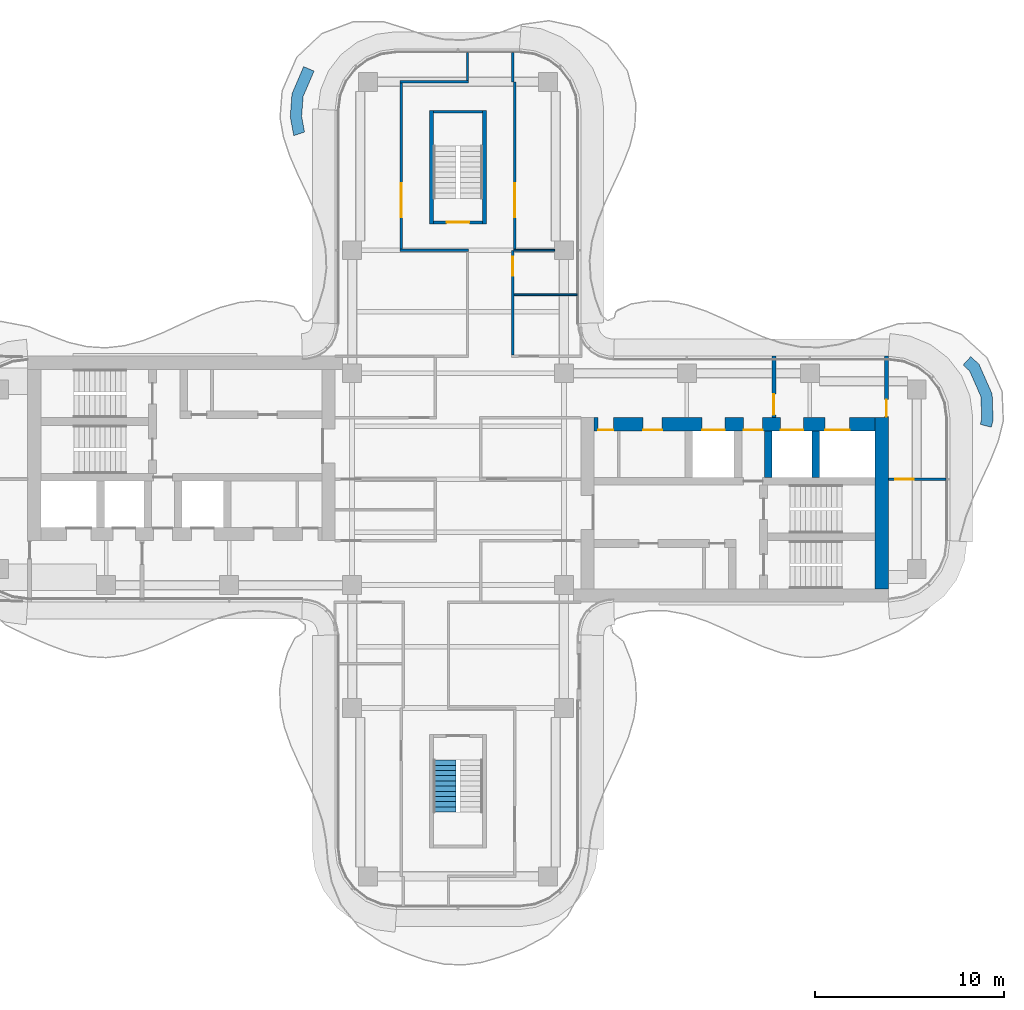
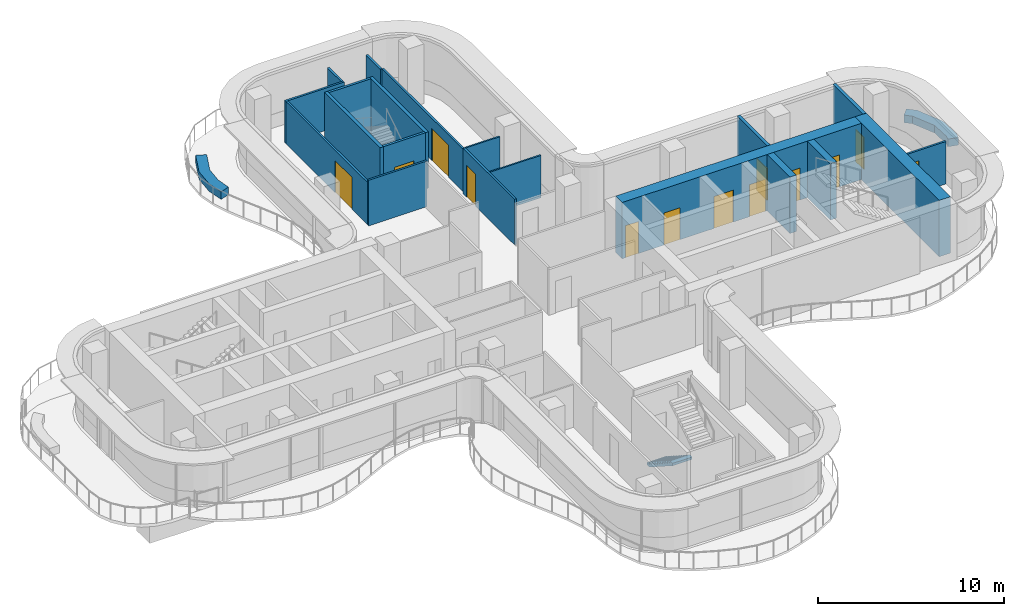
# One storey, part 14 of 17: 22 walls, 13 doors, 1 stair flight, 13 openings, 1 element without a shape of its own.
"""IFC4 building model written with IfcOpenShell, lengths in metres."""

from ifc_helpers import new_model, si_unit, direction, frame, frame_2d, origin, place, context, subcontext, project, spatial, polyline, rectangle, outline, extrude, source, transform, mapped, material, layer, layer_set, type_object, element, fill, aggregate, save


model = new_model("IFC4")

# Units and contexts
model_context = context("Model", 3, precision=1e-05, world=origin(), true_north=direction((0.0, 1.0)))
body_context = subcontext(model_context, "Body", "Model", "MODEL_VIEW")
ifc_project = project(units=[si_unit("LENGTHUNIT", "METRE"), si_unit("AREAUNIT", "SQUARE_METRE"), si_unit("VOLUMEUNIT", "CUBIC_METRE"), si_unit("PLANEANGLEUNIT", "RADIAN"), si_unit("MASSUNIT", "GRAM", prefix="KILO")], contexts=[model_context])

# Site, building, storey
site_placement = place(None, origin())
site = spatial("IfcSite", under=ifc_project, at=site_placement, CompositionType="ELEMENT")
building_placement = place(site_placement, origin())
building = spatial("IfcBuilding", under=site, at=building_placement, Name="Trellis Farm Tower", CompositionType="ELEMENT")
storey_placement = place(building_placement, frame((0.0, 0.0, 279.39990234375)))
storey = spatial("IfcBuildingStorey", under=building, at=storey_placement, Name="L62", CompositionType="ELEMENT", Elevation=279.39990234375)

# Walls
ifc_material_1 = material(Name="Sandstone faced masonry planter", Category="masonry")
ifc_layer_1 = layer(ifc_material_1, 0.60009765625)
ifc_layer_set_1 = layer_set([ifc_layer_1], Name="PLANTER BED 600")
wall_type_1 = type_object("IfcWallType", Name="PLANTER BED 600", PredefinedType="USERDEFINED", material=ifc_layer_set_1)
placement = place(storey_placement, origin())
element("IfcWall", 1, at=placement, inside=storey, type_object=wall_type_1, Name="PLANTER bed", ObjectType="PLANTER", PredefinedType="USERDEFINED", context=body_context, shape_type="SweptSolid", body=[
    extrude(outline(polyline([(27.541015625, 6.077392578125), (28.236328125, 4.49951171875), (28.28515625, 3.11279296875), (28.1904296875, 2.7470703125), (27.609619140625, 2.8974609375), (27.682373046875, 3.1787109375), (27.640869140625, 4.36328125), (27.04296875, 5.719482421875), (26.697998046875, 6.03369140625), (27.102294921875, 6.477294921875), (27.541015625, 6.077392578125)])), origin(), (0.0, 0.0, 1.0), 0.5),
])
element("IfcWall", 2, at=placement, inside=storey, type_object=wall_type_1, Name="PLANTER bed", ObjectType="PLANTER", PredefinedType="USERDEFINED", context=body_context, shape_type="SweptSolid", body=[
    extrude(outline(polyline([(-8.869873046875, 19.148681640625), (-8.778076171875, 20.375), (-8.162109375, 21.81005859375), (-7.610595703125, 21.573486328125), (-8.18701171875, 20.23046875), (-8.265869140625, 19.17919921875), (-8.115234375, 18.34814453125), (-8.684814453125, 18.158935546875), (-8.869873046875, 19.148681640625)])), origin(), (0.0, 0.0, 1.0), 0.5),
])
ifc_material_2 = material(Name="Concrete C50/60", Category="concrete")
ifc_layer_2 = layer(ifc_material_2, 0.699951171875)
ifc_layer_set_2 = layer_set([ifc_layer_2], Name="CORE OUTER WALL 700 CONCRETE C50/60")
wall_type_2 = type_object("IfcWallType", Name="CORE OUTER WALL 700 CONCRETE C50/60", PredefinedType="SHEAR", material=ifc_layer_set_2)
shared_shape_1 = source(origin(), body_context, "Body", "SweptSolid", [
    extrude(rectangle(XDim=9.050048828125, YDim=0.699951171875, at=frame_2d((4.52490234375, 0.0))), origin(), (0.0, 0.0, 1.0), 3.7001953125),
])
wall_3_placement = place(storey_placement, frame((22.39990234375, -5.800048828125, 0.0), z_axis=(0.0, 0.0, 1.0), x_axis=(0.0, 1.0, 0.0)))
element("IfcWall", 3, at=wall_3_placement, inside=storey, type_object=wall_type_2, Name="Core wall", PredefinedType="SHEAR", context=body_context, shape_type="MappedRepresentation", body=[
    mapped(shared_shape_1, transform((0.0, 0.0, 0.0))),
])
ifc_layer_3 = layer(ifc_material_2, 0.39990234375)
ifc_layer_set_3 = layer_set([ifc_layer_3], Name="CORE INNER WALL 400 CONCRETE C50/60")
wall_type_3 = type_object("IfcWallType", Name="CORE INNER WALL 400 CONCRETE C50/60", PredefinedType="SHEAR", material=ifc_layer_set_3)
shared_shape_2 = source(origin(), body_context, "Body", "SweptSolid", [
    extrude(rectangle(XDim=2.449951171875, YDim=0.39990234375, at=frame_2d((1.22509765625, 0.0))), origin(), (0.0, 0.0, 1.0), 3.7001953125),
])
for number, where, z_axis, x_axis, name in (
    (4, (16.39990234375, 0.10009765625, 0.0), (0.0, 0.0, 1.0), (0.0, 1.0, 0.0), "Core wall"),
    (5, (18.89990234375, 0.10009765625, 0.0), (0.0, 0.0, 1.0), (0.0, 1.0, 0.0), "Core wall"),
):
    element("IfcWall", number, at=place(storey_placement, frame(where, z_axis=z_axis, x_axis=x_axis)), inside=storey, type_object=wall_type_3, Name=name, PredefinedType="SHEAR", context=body_context, shape_type="MappedRepresentation", body=[
        mapped(shared_shape_2, transform((0.0, 0.0, 0.0))),
    ])

# Wall, opening, door
ifc_material_3 = material(Name="Masonry blockwork", Category="masonry")
ifc_layer_4 = layer(ifc_material_3, 0.199951171875)
ifc_layer_set_4 = layer_set([ifc_layer_4], Name="FIRE LOBBY PARTITION 200 BLOCKWORK")
wall_type_4 = type_object("IfcWallType", Name="FIRE LOBBY PARTITION 200 BLOCKWORK", PredefinedType="PARTITIONING", material=ifc_layer_set_4)
shared_shape_3 = source(origin(), body_context, "Body", "SweptSolid", [
    extrude(rectangle(XDim=3.25, YDim=0.199951171875, at=frame_2d((1.625, 0.0))), origin(), (0.0, 0.0, 1.0), 3.7001953125),
])
wall_4_placement = place(storey_placement, frame((16.699951171875, 3.25, 0.0), z_axis=(0.0, 0.0, 1.0), x_axis=(0.0, 1.0, 0.0)))
wall_4 = element("IfcWall", 6, at=wall_4_placement, inside=storey, type_object=wall_type_4, Name="Fire-fighting lobby partition", PredefinedType="PARTITIONING", context=body_context, shape_type="MappedRepresentation", body=[
    mapped(shared_shape_3, transform((0.0, 0.0, 0.0))),
])
shared_shape_4 = source(origin(), body_context, "Body", "SweptSolid", [
    extrude(rectangle(XDim=1.10009765625, YDim=2.10009765625, at=frame_2d((0.550048828125, 1.050048828125))), frame((0.0, 0.110107421875, 0.0), z_axis=(0.0, -1.0, 0.0), x_axis=(1.0, 0.0, 0.0)), (0.0, 0.0, 1.0), 0.22021484375),
])
opening_1_placement = place(wall_4_placement, frame((0.14990234375, 0.0, 0.0)))
opening_1 = element("IfcOpeningElement", 7, at=opening_1_placement, cuts=wall_4, Name="Opening DC7", PredefinedType="OPENING", context=body_context, shape_type="MappedRepresentation", body=[
    mapped(shared_shape_4, transform((0.0, 0.0, 0.0))),
])
ifc_material_4 = material(Name="Steel", Category="steel")
door_type_1 = type_object("IfcDoorType", Name="CORE FIRE DOOR 1100 X 2100", OperationType="NOTDEFINED", PredefinedType="DOOR", material=ifc_material_4)
shared_shape_5 = source(origin(), body_context, "Body", "SweptSolid", [
    extrude(rectangle(XDim=1.10009765625, YDim=2.10009765625, at=frame_2d((0.550048828125, 1.050048828125))), frame((0.0, 0.02490234375, 0.0), z_axis=(0.0, -1.0, 0.0), x_axis=(1.0, 0.0, 0.0)), (0.0, 0.0, 1.0), 0.050048828125),
])
door_1_placement = place(opening_1_placement, origin())
door_1 = element("IfcDoor", 8, at=door_1_placement, inside=storey, type_object=door_type_1, Name="Core door", OperationType="SINGLE_SWING_RIGHT", OverallHeight=2.10009765625, OverallWidth=1.10009765625, PredefinedType="DOOR", context=body_context, shape_type="MappedRepresentation", body=[
    mapped(shared_shape_5, transform((0.0, 0.0, 0.0))),
])
fill(opening_1, door_1)

wall_5_placement = place(storey_placement, frame((22.64990234375, 3.25, 0.0), z_axis=(0.0, 0.0, 1.0), x_axis=(0.0, 1.0, 0.0)))
wall_5 = element("IfcWall", 9, at=wall_5_placement, inside=storey, type_object=wall_type_4, Name="Fire-fighting lobby partition", PredefinedType="PARTITIONING", context=body_context, shape_type="MappedRepresentation", body=[
    mapped(shared_shape_3, transform((0.0, 0.0, 0.0))),
])
shared_shape_6 = source(origin(), body_context, "Body", "SweptSolid", [
    extrude(rectangle(XDim=0.89990234375, YDim=2.10009765625, at=frame_2d((0.449951171875, 1.050048828125))), frame((0.0, 0.110107421875, 0.0), z_axis=(0.0, -1.0, 0.0), x_axis=(1.0, 0.0, 0.0)), (0.0, 0.0, 1.0), 0.22021484375),
])
opening_2_placement = place(wall_5_placement, frame((0.050048828125, 0.0, 0.0)))
opening_2 = element("IfcOpeningElement", 10, at=opening_2_placement, cuts=wall_5, Name="Opening DC8", PredefinedType="OPENING", context=body_context, shape_type="MappedRepresentation", body=[
    mapped(shared_shape_6, transform((0.0, 0.0, 0.0))),
])
door_type_2 = type_object("IfcDoorType", Name="CORE FIRE DOOR 900 X 2100", OperationType="NOTDEFINED", PredefinedType="DOOR", material=ifc_material_4)
shared_shape_7 = source(origin(), body_context, "Body", "SweptSolid", [
    extrude(rectangle(XDim=0.89990234375, YDim=2.10009765625, at=frame_2d((0.449951171875, 1.050048828125))), frame((0.0, 0.02490234375, 0.0), z_axis=(0.0, -1.0, 0.0), x_axis=(1.0, 0.0, 0.0)), (0.0, 0.0, 1.0), 0.050048828125),
])
door_2_placement = place(opening_2_placement, origin())
door_2 = element("IfcDoor", 11, at=door_2_placement, inside=storey, type_object=door_type_2, Name="Core door", OperationType="SINGLE_SWING_RIGHT", OverallHeight=2.10009765625, OverallWidth=0.89990234375, PredefinedType="DOOR", context=body_context, shape_type="MappedRepresentation", body=[
    mapped(shared_shape_7, transform((0.0, 0.0, 0.0))),
])
fill(opening_2, door_2)

# Wall, openings, doors
shared_shape_8 = source(origin(), body_context, "Body", "SweptSolid", [
    extrude(rectangle(XDim=14.85009765625, YDim=0.699951171875, at=frame_2d((7.425048828125, 0.0))), origin(), (0.0, 0.0, 1.0), 3.7001953125),
])
wall_6_placement = place(storey_placement, frame((7.199951171875, 2.89990234375, 0.0), z_axis=(0.0, 0.0, 1.0), x_axis=(1.0, 0.0, 0.0)))
wall_6 = element("IfcWall", 12, at=wall_6_placement, inside=storey, type_object=wall_type_2, Name="Core wall", PredefinedType="SHEAR", context=body_context, shape_type="MappedRepresentation", body=[
    mapped(shared_shape_8, transform((0.0, 0.0, 0.0))),
])
shared_shape_9 = source(origin(), body_context, "Body", "SweptSolid", [
    extrude(rectangle(XDim=1.199951171875, YDim=2.10009765625, at=frame_2d((0.60009765625, 1.050048828125))), frame((0.0, 0.360107421875, 0.0), z_axis=(0.0, -1.0, 0.0), x_axis=(1.0, 0.0, 0.0)), (0.0, 0.0, 1.0), 0.72021484375),
])
opening_3_placement = place(wall_6_placement, frame((5.699951171875, 0.0, 0.0)))
opening_3 = element("IfcOpeningElement", 13, at=opening_3_placement, cuts=wall_6, Name="Opening LD6", PredefinedType="OPENING", context=body_context, shape_type="MappedRepresentation", body=[
    mapped(shared_shape_9, transform((0.0, 0.0, 0.0))),
])
shared_shape_10 = source(origin(), body_context, "Body", "SweptSolid", [
    extrude(rectangle(XDim=1.300048828125, YDim=2.10009765625, at=frame_2d((0.64990234375, 1.050048828125))), frame((0.0, 0.360107421875, 0.0), z_axis=(0.0, -1.0, 0.0), x_axis=(1.0, 0.0, 0.0)), (0.0, 0.0, 1.0), 0.72021484375),
])
opening_4_placement = place(wall_6_placement, frame((12.199951171875, 0.0, 0.0)))
opening_4 = element("IfcOpeningElement", 14, at=opening_4_placement, cuts=wall_6, Name="Opening LD7", PredefinedType="OPENING", context=body_context, shape_type="MappedRepresentation", body=[
    mapped(shared_shape_10, transform((0.0, 0.0, 0.0))),
])
opening_5_placement = place(wall_6_placement, frame((9.85009765625, 0.0, 0.0)))
opening_5 = element("IfcOpeningElement", 15, at=opening_5_placement, cuts=wall_6, Name="Opening LD8", PredefinedType="OPENING", context=body_context, shape_type="MappedRepresentation", body=[
    mapped(shared_shape_9, transform((0.0, 0.0, 0.0))),
])
shared_shape_11 = source(origin(), body_context, "Body", "SweptSolid", [
    extrude(rectangle(XDim=1.0, YDim=2.10009765625, at=frame_2d((0.5, 1.050048828125))), frame((0.0, 0.360107421875, 0.0), z_axis=(0.0, -1.0, 0.0), x_axis=(1.0, 0.0, 0.0)), (0.0, 0.0, 1.0), 0.72021484375),
])
opening_6_placement = place(wall_6_placement, frame((7.89990234375, 0.0, 0.0)))
opening_6 = element("IfcOpeningElement", 16, at=opening_6_placement, cuts=wall_6, Name="Opening DC6", PredefinedType="OPENING", context=body_context, shape_type="MappedRepresentation", body=[
    mapped(shared_shape_11, transform((0.0, 0.0, 0.0))),
])
shared_shape_12 = source(origin(), body_context, "Body", "SweptSolid", [
    extrude(rectangle(XDim=0.800048828125, YDim=2.10009765625, at=frame_2d((0.39990234375, 1.050048828125))), frame((0.0, 0.360107421875, 0.0), z_axis=(0.0, -1.0, 0.0), x_axis=(1.0, 0.0, 0.0)), (0.0, 0.0, 1.0), 0.72021484375),
])
opening_7_placement = place(wall_6_placement, frame((0.21240234375, 0.0, 0.0)))
opening_7 = element("IfcOpeningElement", 17, at=opening_7_placement, cuts=wall_6, Name="Opening DC9", PredefinedType="OPENING", context=body_context, shape_type="MappedRepresentation", body=[
    mapped(shared_shape_12, transform((0.0, 0.0, 0.0))),
])
opening_8_placement = place(wall_6_placement, frame((2.58740234375, 0.0, 0.0)))
opening_8 = element("IfcOpeningElement", 18, at=opening_8_placement, cuts=wall_6, Name="Opening DC20", PredefinedType="OPENING", context=body_context, shape_type="MappedRepresentation", body=[
    mapped(shared_shape_11, transform((0.0, 0.0, 0.0))),
])
door_type_3 = type_object("IfcDoorType", Name="CORE FIRE DOOR 1000 X 2100", OperationType="NOTDEFINED", PredefinedType="DOOR", material=ifc_material_4)
shared_shape_13 = source(origin(), body_context, "Body", "SweptSolid", [
    extrude(rectangle(XDim=1.0, YDim=2.10009765625, at=frame_2d((0.5, 1.050048828125))), frame((0.0, -0.27490234375, 0.0), z_axis=(0.0, -1.0, 0.0), x_axis=(1.0, 0.0, 0.0)), (0.0, 0.0, 1.0), 0.050048828125),
])
door_3_placement = place(opening_6_placement, origin())
door_3 = element("IfcDoor", 19, at=door_3_placement, inside=storey, type_object=door_type_3, Name="Core door", OperationType="SINGLE_SWING_LEFT", OverallHeight=2.10009765625, OverallWidth=1.0, PredefinedType="DOOR", context=body_context, shape_type="MappedRepresentation", body=[
    mapped(shared_shape_13, transform((0.0, 0.0, 0.0))),
])
fill(opening_6, door_3)
door_4_placement = place(opening_8_placement, origin())
door_4 = element("IfcDoor", 20, at=door_4_placement, inside=storey, type_object=door_type_3, Name="Core door", OperationType="SINGLE_SWING_RIGHT", OverallHeight=2.10009765625, OverallWidth=1.0, PredefinedType="DOOR", context=body_context, shape_type="MappedRepresentation", body=[
    mapped(shared_shape_13, transform((0.0, 0.0, 0.0))),
])
fill(opening_8, door_4)
ifc_material_5 = material(Name="Stainless steel", Category="steel")
door_type_4 = type_object("IfcDoorType", Name="LIFT LANDING DOOR 1300 X 2100", OperationType="DOUBLE_DOOR_SLIDING", PredefinedType="DOOR", material=ifc_material_5)
shared_shape_14 = source(origin(), body_context, "Body", "SweptSolid", [
    extrude(rectangle(XDim=1.300048828125, YDim=2.10009765625, at=frame_2d((0.64990234375, 1.050048828125))), frame((0.0, -0.27490234375, 0.0), z_axis=(0.0, -1.0, 0.0), x_axis=(1.0, 0.0, 0.0)), (0.0, 0.0, 1.0), 0.050048828125),
])
door_5_placement = place(opening_4_placement, origin())
door_5 = element("IfcDoor", 21, at=door_5_placement, inside=storey, type_object=door_type_4, Name="Lift landing door", OperationType="DOUBLE_DOOR_SLIDING", OverallHeight=2.10009765625, OverallWidth=1.300048828125, PredefinedType="DOOR", context=body_context, shape_type="MappedRepresentation", body=[
    mapped(shared_shape_14, transform((0.0, 0.0, 0.0))),
])
fill(opening_4, door_5)
door_type_5 = type_object("IfcDoorType", Name="LIFT LANDING DOOR 1200 X 2100", OperationType="DOUBLE_DOOR_SLIDING", PredefinedType="DOOR", material=ifc_material_5)
shared_shape_15 = source(origin(), body_context, "Body", "SweptSolid", [
    extrude(rectangle(XDim=1.199951171875, YDim=2.10009765625, at=frame_2d((0.60009765625, 1.050048828125))), frame((0.0, -0.27490234375, 0.0), z_axis=(0.0, -1.0, 0.0), x_axis=(1.0, 0.0, 0.0)), (0.0, 0.0, 1.0), 0.050048828125),
])
door_6_placement = place(opening_3_placement, origin())
door_6 = element("IfcDoor", 22, at=door_6_placement, inside=storey, type_object=door_type_5, Name="Lift landing door", OperationType="DOUBLE_DOOR_SLIDING", OverallHeight=2.10009765625, OverallWidth=1.199951171875, PredefinedType="DOOR", context=body_context, shape_type="MappedRepresentation", body=[
    mapped(shared_shape_15, transform((0.0, 0.0, 0.0))),
])
fill(opening_3, door_6)
door_7_placement = place(opening_5_placement, origin())
door_7 = element("IfcDoor", 23, at=door_7_placement, inside=storey, type_object=door_type_5, Name="Lift landing door", OperationType="DOUBLE_DOOR_SLIDING", OverallHeight=2.10009765625, OverallWidth=1.199951171875, PredefinedType="DOOR", context=body_context, shape_type="MappedRepresentation", body=[
    mapped(shared_shape_15, transform((0.0, 0.0, 0.0))),
])
fill(opening_5, door_7)
door_type_6 = type_object("IfcDoorType", Name="CORE FIRE DOOR 800 X 2100", OperationType="NOTDEFINED", PredefinedType="DOOR", material=ifc_material_4)
shared_shape_16 = source(origin(), body_context, "Body", "SweptSolid", [
    extrude(rectangle(XDim=0.800048828125, YDim=2.10009765625, at=frame_2d((0.39990234375, 1.050048828125))), frame((0.0, -0.27490234375, 0.0), z_axis=(0.0, -1.0, 0.0), x_axis=(1.0, 0.0, 0.0)), (0.0, 0.0, 1.0), 0.050048828125),
])
door_8_placement = place(opening_7_placement, origin())
door_8 = element("IfcDoor", 24, at=door_8_placement, inside=storey, type_object=door_type_6, Name="Core door", OperationType="SINGLE_SWING_LEFT", OverallHeight=2.10009765625, OverallWidth=0.800048828125, PredefinedType="DOOR", context=body_context, shape_type="MappedRepresentation", body=[
    mapped(shared_shape_16, transform((0.0, 0.0, 0.0))),
])
fill(opening_7, door_8)

# Walls
ifc_layer_5 = layer(ifc_material_2, 0.199951171875)
ifc_layer_set_5 = layer_set([ifc_layer_5], Name="CORE STAIR ENCLOSURE WALL 200 CONCRETE C50/60")
wall_type_5 = type_object("IfcWallType", Name="CORE STAIR ENCLOSURE WALL 200 CONCRETE C50/60", PredefinedType="SHEAR", material=ifc_layer_set_5)
shared_shape_17 = source(origin(), body_context, "Body", "SweptSolid", [
    extrude(rectangle(XDim=6.0, YDim=0.199951171875, at=frame_2d((3.0, 0.0))), origin(), (0.0, 0.0, 1.0), 3.7001953125),
])
for number, where, z_axis, x_axis, name in (
    (25, (-1.39990234375, 13.5, 0.0), (0.0, 0.0, 1.0), (0.0, 1.0, 0.0), "Stair enclosure wall"),
    (26, (1.39990234375, 13.5, 0.0), (0.0, 0.0, 1.0), (0.0, 1.0, 0.0), "Stair enclosure wall"),
):
    element("IfcWall", number, at=place(storey_placement, frame(where, z_axis=z_axis, x_axis=x_axis)), inside=storey, type_object=wall_type_5, Name=name, PredefinedType="SHEAR", context=body_context, shape_type="MappedRepresentation", body=[
        mapped(shared_shape_17, transform((0.0, 0.0, 0.0))),
    ])

# Wall, opening, door
ifc_layer_6 = layer(ifc_material_2, 0.14990234375)
ifc_layer_set_6 = layer_set([ifc_layer_6], Name="CORE STAIR ENCLOSURE WALL 150 CONCRETE C50/60")
wall_type_6 = type_object("IfcWallType", Name="CORE STAIR ENCLOSURE WALL 150 CONCRETE C50/60", PredefinedType="SHEAR", material=ifc_layer_set_6)
shared_shape_18 = source(origin(), body_context, "Body", "SweptSolid", [
    extrude(rectangle(XDim=2.60009765625, YDim=0.14990234375, at=frame_2d((1.300048828125, 0.0))), origin(), (0.0, 0.0, 1.0), 3.7001953125),
])
wall_7_placement = place(storey_placement, frame((-1.300048828125, 13.574951171875, 0.0), z_axis=(0.0, 0.0, 1.0), x_axis=(1.0, 0.0, 0.0)))
wall_7 = element("IfcWall", 27, at=wall_7_placement, inside=storey, type_object=wall_type_6, Name="Stair enclosure wall", PredefinedType="SHEAR", context=body_context, shape_type="MappedRepresentation", body=[
    mapped(shared_shape_18, transform((0.0, 0.0, 0.0))),
])
shared_shape_19 = source(origin(), body_context, "Body", "SweptSolid", [
    extrude(rectangle(XDim=1.199951171875, YDim=2.10009765625, at=frame_2d((0.60009765625, 1.050048828125))), frame((0.0, 0.0849609375, 0.0), z_axis=(0.0, -1.0, 0.0), x_axis=(1.0, 0.0, 0.0)), (0.0, 0.0, 1.0), 0.169921875),
])
opening_9_placement = place(wall_7_placement, frame((0.699951171875, 0.0, 0.0)))
opening_9 = element("IfcOpeningElement", 28, at=opening_9_placement, cuts=wall_7, Name="Opening DC173", PredefinedType="OPENING", context=body_context, shape_type="MappedRepresentation", body=[
    mapped(shared_shape_19, transform((0.0, 0.0, 0.0))),
])
door_type_7 = type_object("IfcDoorType", Name="CORE FIRE DOOR 1200 X 2100", OperationType="NOTDEFINED", PredefinedType="DOOR", material=ifc_material_4)
shared_shape_20 = source(origin(), body_context, "Body", "SweptSolid", [
    extrude(rectangle(XDim=1.199951171875, YDim=2.10009765625, at=frame_2d((0.60009765625, 1.050048828125))), frame((0.0, 0.02490234375, 0.0), z_axis=(0.0, -1.0, 0.0), x_axis=(1.0, 0.0, 0.0)), (0.0, 0.0, 1.0), 0.050048828125),
])
door_9_placement = place(opening_9_placement, origin())
door_9 = element("IfcDoor", 29, at=door_9_placement, inside=storey, type_object=door_type_7, Name="Core door", OperationType="SINGLE_SWING_LEFT", OverallHeight=2.10009765625, OverallWidth=1.199951171875, PredefinedType="DOOR", context=body_context, shape_type="MappedRepresentation", body=[
    mapped(shared_shape_20, transform((0.0, 0.0, 0.0))),
])
fill(opening_9, door_9)

# Wall
wall_8_placement = place(storey_placement, frame((-1.300048828125, 19.425048828125, 0.0), z_axis=(0.0, 0.0, 1.0), x_axis=(1.0, 0.0, 0.0)))
element("IfcWall", 30, at=wall_8_placement, inside=storey, type_object=wall_type_6, Name="Stair enclosure wall", PredefinedType="SHEAR", context=body_context, shape_type="MappedRepresentation", body=[
    mapped(shared_shape_18, transform((0.0, 0.0, 0.0))),
])

# Wall, opening, door
ifc_material_6 = material(Name="Plasterboard on steel studs, mineral wool", Category="steel")
ifc_layer_7 = layer(ifc_material_6, 0.125)
ifc_layer_set_7 = layer_set([ifc_layer_7], Name="PARTITION 125 STUD EI 60")
wall_type_7 = type_object("IfcWallType", Name="PARTITION 125 STUD EI 60", PredefinedType="PARTITIONING", material=ifc_layer_set_7)
shared_shape_21 = source(origin(), body_context, "Body", "SweptSolid", [
    extrude(rectangle(XDim=5.53759765625, YDim=0.125, at=frame_2d((2.768798828125, 0.0))), origin(), (0.0, 0.0, 1.0), 2.99658203125),
])
wall_9_placement = place(storey_placement, frame((2.89990234375, 12.10009765625, 0.0), z_axis=(0.0, 0.0, 1.0), x_axis=(0.0, -1.0, 0.0)))
wall_9 = element("IfcWall", 31, at=wall_9_placement, inside=storey, type_object=wall_type_7, Name="Partition PW1", PredefinedType="PARTITIONING", context=body_context, shape_type="MappedRepresentation", body=[
    mapped(shared_shape_21, transform((0.0, 0.0, 0.0))),
])
shared_shape_22 = source(origin(), body_context, "Body", "SweptSolid", [
    extrude(rectangle(XDim=1.0, YDim=2.10009765625, at=frame_2d((0.5, 1.050048828125))), frame((0.0, 0.072509765625, 0.0), z_axis=(0.0, -1.0, 0.0), x_axis=(1.0, 0.0, 0.0)), (0.0, 0.0, 1.0), 0.14501953125),
])
opening_10_placement = place(wall_9_placement, frame((0.35009765625, 0.0, 0.0)))
opening_10 = element("IfcOpeningElement", 32, at=opening_10_placement, cuts=wall_9, Name="Opening D110", PredefinedType="OPENING", context=body_context, shape_type="MappedRepresentation", body=[
    mapped(shared_shape_22, transform((0.0, 0.0, 0.0))),
])
ifc_material_7 = material(Name="Fire-rated timber door leaf in a hollow metal frame", Category="wood")
door_type_8 = type_object("IfcDoorType", Name="DOOR 1000x2100 FD30S", OperationType="NOTDEFINED", PredefinedType="DOOR", material=ifc_material_7)
shared_shape_23 = source(origin(), body_context, "Body", "SweptSolid", [
    extrude(rectangle(XDim=1.0, YDim=2.10009765625, at=frame_2d((0.5, 1.050048828125))), frame((0.0, 0.02490234375, 0.0), z_axis=(0.0, -1.0, 0.0), x_axis=(1.0, 0.0, 0.0)), (0.0, 0.0, 1.0), 0.050048828125),
])
door_10_placement = place(opening_10_placement, origin())
door_10 = element("IfcDoor", 33, at=door_10_placement, inside=storey, type_object=door_type_8, Name="Door D110", OperationType="SINGLE_SWING_LEFT", OverallHeight=2.10009765625, OverallWidth=1.0, PredefinedType="DOOR", context=body_context, shape_type="MappedRepresentation", body=[
    mapped(shared_shape_23, transform((0.0, 0.0, 0.0))),
])
fill(opening_10, door_10)

# Wall
shared_shape_24 = source(origin(), body_context, "Body", "SweptSolid", [
    extrude(rectangle(XDim=3.625, YDim=0.125, at=frame_2d((1.8125, 0.0))), origin(), (0.0, 0.0, 1.0), 2.99658203125),
])
wall_10_placement = place(storey_placement, frame((0.5625, 12.10009765625, 0.0), z_axis=(0.0, 0.0, 1.0), x_axis=(-1.0, 0.0, 0.0)))
element("IfcWall", 34, at=wall_10_placement, inside=storey, type_object=wall_type_7, Name="Partition PW1", PredefinedType="PARTITIONING", context=body_context, shape_type="MappedRepresentation", body=[
    mapped(shared_shape_24, transform((0.0, 0.0, 0.0))),
])

# Wall, opening, door
shared_shape_25 = source(origin(), body_context, "Body", "SweptSolid", [
    extrude(rectangle(XDim=8.77490234375, YDim=0.125, at=frame_2d((4.387451171875, 0.0))), origin(), (0.0, 0.0, 1.0), 2.780029296875),
])
wall_11_placement = place(storey_placement, frame((-3.0, 12.16259765625, 0.0), z_axis=(0.0, 0.0, 1.0), x_axis=(0.0, 1.0, 0.0)))
wall_11 = element("IfcWall", 35, at=wall_11_placement, inside=storey, type_object=wall_type_7, Name="Partition PW1", PredefinedType="PARTITIONING", context=body_context, shape_type="MappedRepresentation", body=[
    mapped(shared_shape_25, transform((0.0, 0.0, 0.0))),
])
shared_shape_26 = source(origin(), body_context, "Body", "SweptSolid", [
    extrude(rectangle(XDim=1.800048828125, YDim=2.10009765625, at=frame_2d((0.89990234375, 1.050048828125))), frame((0.0, 0.072509765625, 0.0), z_axis=(0.0, -1.0, 0.0), x_axis=(1.0, 0.0, 0.0)), (0.0, 0.0, 1.0), 0.14501953125),
])
opening_11_placement = place(wall_11_placement, frame((1.6875, 0.0, 0.0)))
opening_11 = element("IfcOpeningElement", 36, at=opening_11_placement, cuts=wall_11, Name="Opening D202", PredefinedType="OPENING", context=body_context, shape_type="MappedRepresentation", body=[
    mapped(shared_shape_26, transform((0.0, 0.0, 0.0))),
])
door_type_9 = type_object("IfcDoorType", Name="DOOR PAIR 1800x2100 FD30S", OperationType="NOTDEFINED", PredefinedType="DOOR", material=ifc_material_7)
shared_shape_27 = source(origin(), body_context, "Body", "SweptSolid", [
    extrude(rectangle(XDim=1.800048828125, YDim=2.10009765625, at=frame_2d((0.89990234375, 1.050048828125))), frame((0.0, 0.02490234375, 0.0), z_axis=(0.0, -1.0, 0.0), x_axis=(1.0, 0.0, 0.0)), (0.0, 0.0, 1.0), 0.050048828125),
])
door_11_placement = place(opening_11_placement, origin())
door_11 = element("IfcDoor", 37, at=door_11_placement, inside=storey, type_object=door_type_9, Name="Door D202", OperationType="DOUBLE_DOOR_SINGLE_SWING", OverallHeight=2.10009765625, OverallWidth=1.800048828125, PredefinedType="DOOR", context=body_context, shape_type="MappedRepresentation", body=[
    mapped(shared_shape_27, transform((0.0, 0.0, 0.0))),
])
fill(opening_11, door_11)

# Walls
shared_shape_28 = source(origin(), body_context, "Body", "SweptSolid", [
    extrude(rectangle(XDim=1.487548828125, YDim=0.125, at=frame_2d((0.74365234375, 0.0))), origin(), (0.0, 0.0, 1.0), 2.780029296875),
])
wall_12_placement = place(storey_placement, frame((0.5, 22.550048828125, 0.0), z_axis=(0.0, 0.0, 1.0), x_axis=(0.0, -1.0, 0.0)))
element("IfcWall", 38, at=wall_12_placement, inside=storey, type_object=wall_type_7, Name="Partition PW1", PredefinedType="PARTITIONING", context=body_context, shape_type="MappedRepresentation", body=[
    mapped(shared_shape_28, transform((0.0, 0.0, 0.0))),
])
shared_shape_29 = source(origin(), body_context, "Body", "SweptSolid", [
    extrude(rectangle(XDim=1.550048828125, YDim=0.125, at=frame_2d((0.77490234375, 0.0))), origin(), (0.0, 0.0, 1.0), 2.780029296875),
])
wall_13_placement = place(storey_placement, frame((2.89990234375, 22.550048828125, 0.0), z_axis=(0.0, 0.0, 1.0), x_axis=(0.0, -1.0, 0.0)))
element("IfcWall", 39, at=wall_13_placement, inside=storey, type_object=wall_type_7, Name="Partition PW1", PredefinedType="PARTITIONING", context=body_context, shape_type="MappedRepresentation", body=[
    mapped(shared_shape_29, transform((0.0, 0.0, 0.0))),
])
shared_shape_30 = source(origin(), body_context, "Body", "SweptSolid", [
    extrude(rectangle(XDim=3.625, YDim=0.125, at=frame_2d((1.8125, 0.0))), origin(), (0.0, 0.0, 1.0), 2.780029296875),
])
wall_14_placement = place(storey_placement, frame((-3.0625, 21.0, 0.0), z_axis=(0.0, 0.0, 1.0), x_axis=(1.0, 0.0, 0.0)))
element("IfcWall", 40, at=wall_14_placement, inside=storey, type_object=wall_type_7, Name="Partition PW1", PredefinedType="PARTITIONING", context=body_context, shape_type="MappedRepresentation", body=[
    mapped(shared_shape_30, transform((0.0, 0.0, 0.0))),
])

# Wall, opening, door
shared_shape_31 = source(origin(), body_context, "Body", "SweptSolid", [
    extrude(rectangle(XDim=3.050048828125, YDim=0.125, at=frame_2d((1.52490234375, 0.0))), origin(), (0.0, 0.0, 1.0), 2.780029296875),
])
wall_15_placement = place(storey_placement, frame((25.800048828125, 0.0, 0.0), z_axis=(0.0, 0.0, 1.0), x_axis=(-1.0, 0.0, 0.0)))
wall_15 = element("IfcWall", 41, at=wall_15_placement, inside=storey, type_object=wall_type_7, Name="Partition PW1", PredefinedType="PARTITIONING", context=body_context, shape_type="MappedRepresentation", body=[
    mapped(shared_shape_31, transform((0.0, 0.0, 0.0))),
])
opening_12_placement = place(wall_15_placement, frame((1.699951171875, 0.0, 0.0)))
opening_12 = element("IfcOpeningElement", 42, at=opening_12_placement, cuts=wall_15, Name="Opening D107", PredefinedType="OPENING", context=body_context, shape_type="MappedRepresentation", body=[
    mapped(shared_shape_22, transform((0.0, 0.0, 0.0))),
])
door_12_placement = place(opening_12_placement, origin())
door_12 = element("IfcDoor", 43, at=door_12_placement, inside=storey, type_object=door_type_8, Name="Door D107", OperationType="SINGLE_SWING_RIGHT", OverallHeight=2.10009765625, OverallWidth=1.0, PredefinedType="DOOR", context=body_context, shape_type="MappedRepresentation", body=[
    mapped(shared_shape_23, transform((0.0, 0.0, 0.0))),
])
fill(opening_12, door_12)

shared_shape_32 = source(origin(), body_context, "Body", "SweptSolid", [
    extrude(rectangle(XDim=8.85009765625, YDim=0.125, at=frame_2d((4.425048828125, 0.0))), origin(), (0.0, 0.0, 1.0), 2.780029296875),
])
wall_16_placement = place(storey_placement, frame((3.0, 21.0, 0.0), z_axis=(0.0, 0.0, 1.0), x_axis=(0.0, -1.0, 0.0)))
wall_16 = element("IfcWall", 44, at=wall_16_placement, inside=storey, type_object=wall_type_7, Name="Partition PW1", PredefinedType="PARTITIONING", context=body_context, shape_type="MappedRepresentation", body=[
    mapped(shared_shape_32, transform((0.0, 0.0, 0.0))),
])
opening_13_placement = place(wall_16_placement, frame((5.35009765625, 0.0, 0.0)))
opening_13 = element("IfcOpeningElement", 45, at=opening_13_placement, cuts=wall_16, Name="Opening D203", PredefinedType="OPENING", context=body_context, shape_type="MappedRepresentation", body=[
    mapped(shared_shape_26, transform((0.0, 0.0, 0.0))),
])
door_13_placement = place(opening_13_placement, origin())
door_13 = element("IfcDoor", 46, at=door_13_placement, inside=storey, type_object=door_type_9, Name="Door D203", OperationType="DOUBLE_DOOR_SINGLE_SWING", OverallHeight=2.10009765625, OverallWidth=1.800048828125, PredefinedType="DOOR", context=body_context, shape_type="MappedRepresentation", body=[
    mapped(shared_shape_27, transform((0.0, 0.0, 0.0))),
])
fill(opening_13, door_13)

# Walls
ifc_material_8 = material(Name="Plasterboard on steel studs", Category="steel")
ifc_layer_8 = layer(ifc_material_8, 0.10009765625)
ifc_layer_set_8 = layer_set([ifc_layer_8], Name="PARTITION 100 STUD EI 30")
wall_type_8 = type_object("IfcWallType", Name="PARTITION 100 STUD EI 30", PredefinedType="PARTITIONING", material=ifc_layer_set_8)
shared_shape_33 = source(origin(), body_context, "Body", "SweptSolid", [
    extrude(rectangle(XDim=3.337646484375, YDim=0.10009765625, at=frame_2d((1.6689453125, 0.0))), origin(), (0.0, 0.0, 1.0), 2.780029296875),
])
wall_17_placement = place(storey_placement, frame((2.96240234375, 9.75, 0.0), z_axis=(0.0, 0.0, 1.0), x_axis=(1.0, 0.0, 0.0)))
element("IfcWall", 47, at=wall_17_placement, inside=storey, type_object=wall_type_8, Name="Partition PW2", PredefinedType="PARTITIONING", context=body_context, shape_type="MappedRepresentation", body=[
    mapped(shared_shape_33, transform((0.0, 0.0, 0.0))),
])
shared_shape_34 = source(origin(), body_context, "Body", "SweptSolid", [
    extrude(rectangle(XDim=2.16259765625, YDim=0.10009765625, at=frame_2d((1.081298828125, 0.0))), origin(), (0.0, 0.0, 1.0), 2.99658203125),
])
wall_18_placement = place(storey_placement, frame((2.9375, 12.10009765625, 0.0), z_axis=(0.0, 0.0, 1.0), x_axis=(1.0, 0.0, 0.0)))
element("IfcWall", 48, at=wall_18_placement, inside=storey, type_object=wall_type_8, Name="Partition PW2", PredefinedType="PARTITIONING", context=body_context, shape_type="MappedRepresentation", body=[
    mapped(shared_shape_34, transform((0.0, 0.0, 0.0))),
])

# Stair, stair flight
stair_type = type_object("IfcStairType", Name="CORE EXIT STAIR 22 RISERS 177 MM", PredefinedType="HALF_TURN_STAIR", material=ifc_material_2)
stair = element("IfcStair", 49, at=placement, inside=storey, type_object=stair_type, Name="Exit stair S", PredefinedType="HALF_TURN_STAIR")
stair_flight_type = type_object("IfcStairFlightType", Name="STAIR FLIGHT 11 RISERS 177 MM", PredefinedType="STRAIGHT", material=ifc_material_2)
shared_shape_35 = source(origin(), body_context, "Body", "SweptSolid", [
    extrude(outline(polyline([(0.0, 0.0), (0.0, 0.17724609375), (0.27490234375, 0.17724609375), (0.27490234375, 0.3544921875), (0.550048828125, 0.3544921875), (0.550048828125, 0.53173828125), (0.824951171875, 0.53173828125), (0.824951171875, 0.708984375), (1.10009765625, 0.708984375), (1.10009765625, 0.886474609375), (1.375, 0.886474609375), (1.375, 1.063720703125), (1.64990234375, 1.063720703125), (1.64990234375, 1.240966796875), (1.925048828125, 1.240966796875), (1.925048828125, 1.418212890625), (2.199951171875, 1.418212890625), (2.199951171875, 1.595458984375), (2.47509765625, 1.595458984375), (2.47509765625, 1.772705078125), (2.75, 1.772705078125), (2.75, 1.949951171875), (2.75, 1.6181640625), (0.23974609375, 0.0), (0.0, 0.0)])), frame((0.0, 0.60009765625, 0.0), z_axis=(0.0, -1.0, 0.0), x_axis=(1.0, 0.0, 0.0)), (0.0, 0.0, 1.0), 1.199951171875),
])
stair_flight_placement = place(storey_placement, frame((-0.699951171875, -14.85009765625, 0.0), z_axis=(0.0, 0.0, 1.0), x_axis=(0.0, -1.0, 0.0)))
stair_flight = element("IfcStairFlight", 50, at=stair_flight_placement, type_object=stair_flight_type, Name="STS flight 1", NumberOfRisers=11, NumberOfTreads=10, PredefinedType="STRAIGHT", RiserHeight=0.177272727, TreadLength=0.275, context=body_context, shape_type="MappedRepresentation", body=[
    mapped(shared_shape_35, transform((0.0, 0.0, 0.0))),
])
aggregate(stair, [stair_flight])

save(model, "model.ifc")
